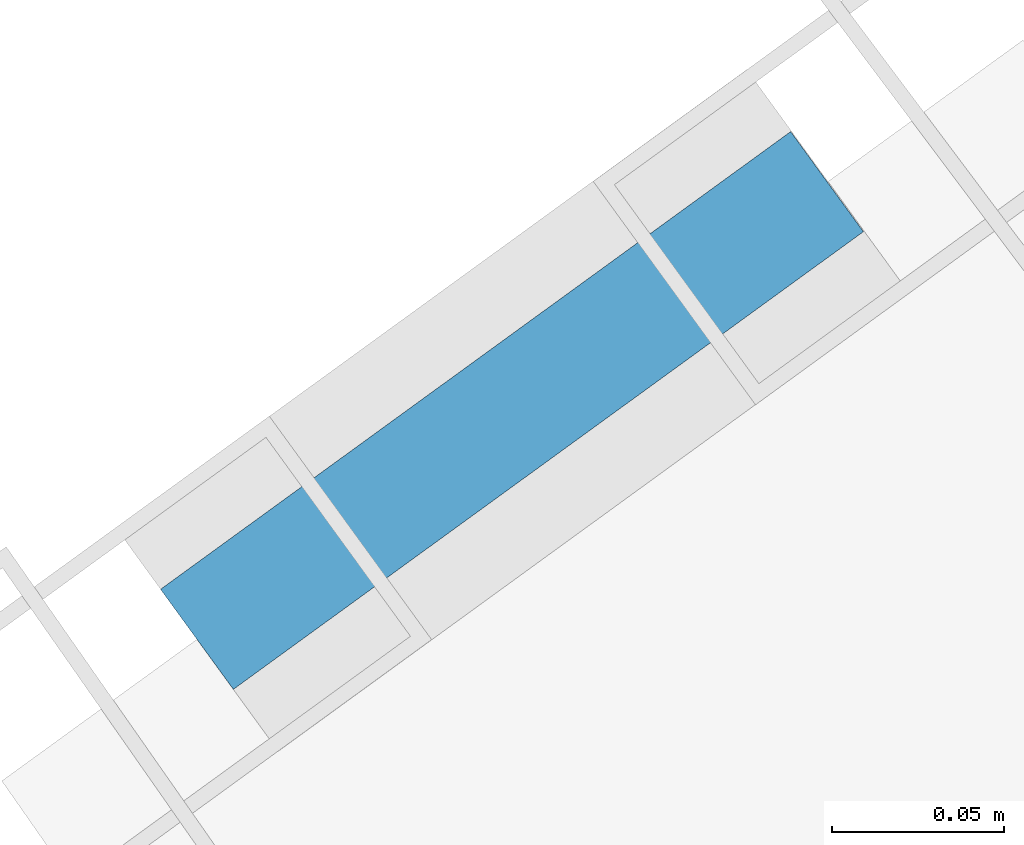
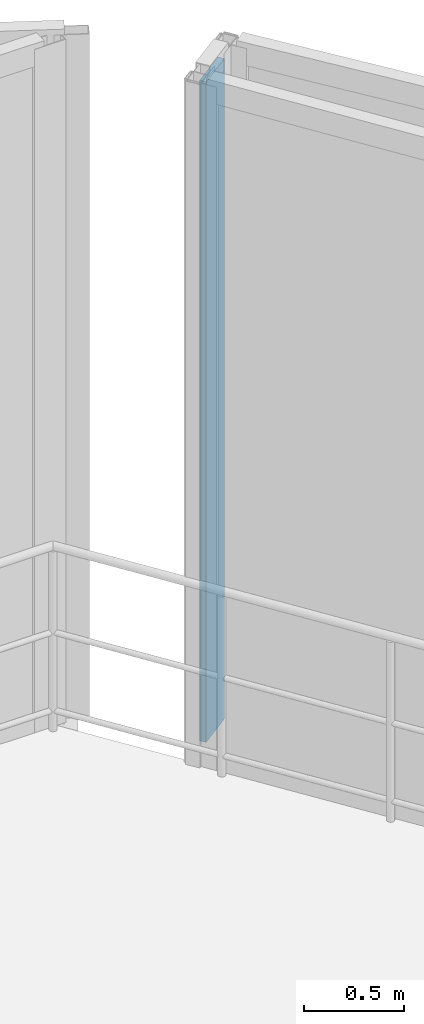
# One storey, part 26 of 31: 1 plate, 1 element without a shape of its own.
"""IFC4 building model written with IfcOpenShell, lengths in metres."""

from ifc_helpers import new_model, si_unit, direction, frame, origin, origin_2d, place, context, subcontext, project, spatial, rectangle, extrude, material, layer, layer_set, type_object, element, aggregate, save


model = new_model("IFC4")

# Units and contexts
model_context = context("Model", 3, precision=1e-05, world=origin(), true_north=direction((0.0, 1.0)))
body_context = subcontext(model_context, "Body", "Model", "MODEL_VIEW")
ifc_project = project(units=[si_unit("LENGTHUNIT", "METRE"), si_unit("AREAUNIT", "SQUARE_METRE"), si_unit("VOLUMEUNIT", "CUBIC_METRE"), si_unit("PLANEANGLEUNIT", "RADIAN"), si_unit("MASSUNIT", "GRAM", prefix="KILO")], contexts=[model_context])

# Site, building, storey
site_placement = place(None, origin())
site = spatial("IfcSite", under=ifc_project, at=site_placement, CompositionType="ELEMENT")
building_placement = place(site_placement, origin())
building = spatial("IfcBuilding", under=site, at=building_placement, Name="Keshet Zoharim Tower", CompositionType="ELEMENT")
storey_placement = place(building_placement, frame((0.0, 0.0, 125.300048828125)))
storey = spatial("IfcBuildingStorey", under=building, at=storey_placement, Name="L30", CompositionType="ELEMENT", Elevation=125.300048828125)

# Curtain wall, plate
ifc_material_1 = material(Name="Aluminium 6063-T6", Category="aluminium")
ifc_layer_1 = layer(ifc_material_1, 0.14990234375)
ifc_layer_set_1 = layer_set([ifc_layer_1], Name="Aluminium 6063-T6")
curtain_wall_type = type_object("IfcCurtainWallType", Name="CW-SYS-04", PredefinedType="NOTDEFINED", material=ifc_layer_set_1)
curtain_wall_placement = place(storey_placement, origin())
curtain_wall = element("IfcCurtainWall", 1, at=curtain_wall_placement, inside=storey, type_object=curtain_wall_type, Name="L30 Unitised Curtain Wall 01", PredefinedType="NOTDEFINED")
ifc_material_2 = material(Name="Insulated Low-E Clear Glass", Category="glass")
ifc_layer_2 = layer(ifc_material_2, 0.035888671875)
ifc_layer_set_2 = layer_set([ifc_layer_2], Name="Insulated Low-E Clear Glass")
plate_type = type_object("IfcPlateType", Name="CWP-01", PredefinedType="CURTAIN_PANEL", material=ifc_layer_set_2)
plate_placement = place(storey_placement, frame((51.617919921875, 52.7705078125, 0.070068359375), z_axis=(0.0, 0.0, 1.0), x_axis=(0.80909054238, 0.587684008827, 0.0)))
plate = element("IfcPlate", 2, at=plate_placement, type_object=plate_type, Name="CW-04 panel 1.1", PredefinedType="CURTAIN_PANEL", context=body_context, shape_type="SweptSolid", body=[
    extrude(rectangle(XDim=0.225830078125, YDim=0.035888671875, at=origin_2d()), origin(), (0.0, 0.0, 1.0), 4.044921875),
])
aggregate(curtain_wall, [plate])

save(model, "model.ifc")
